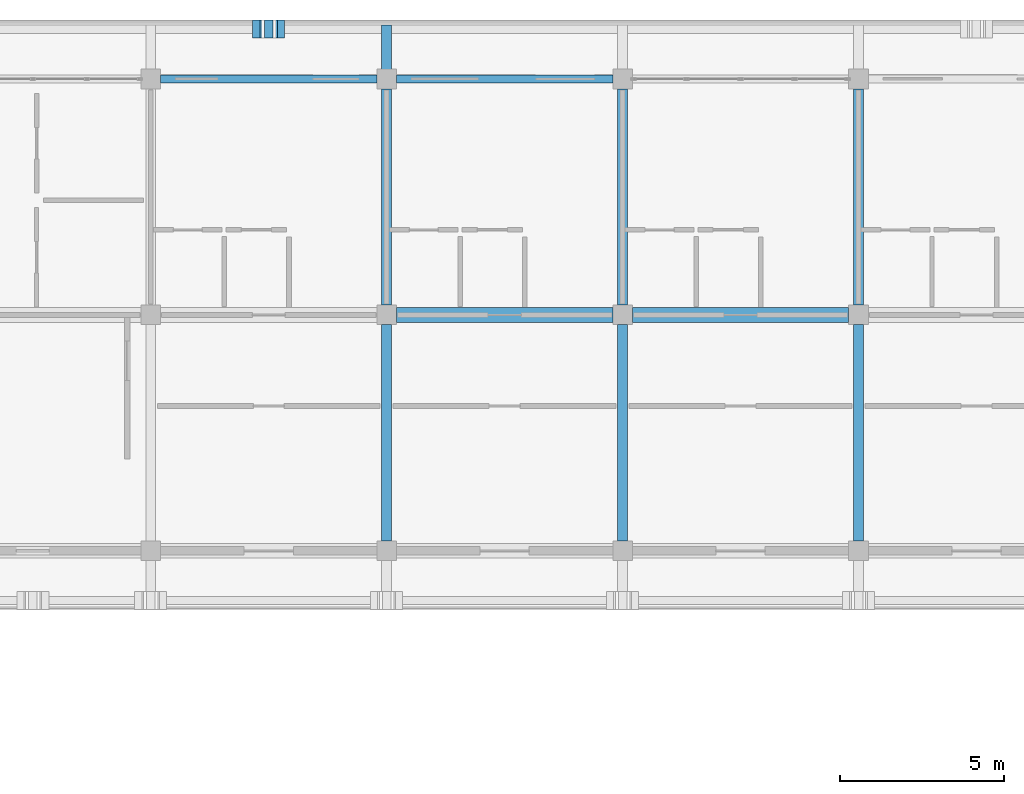
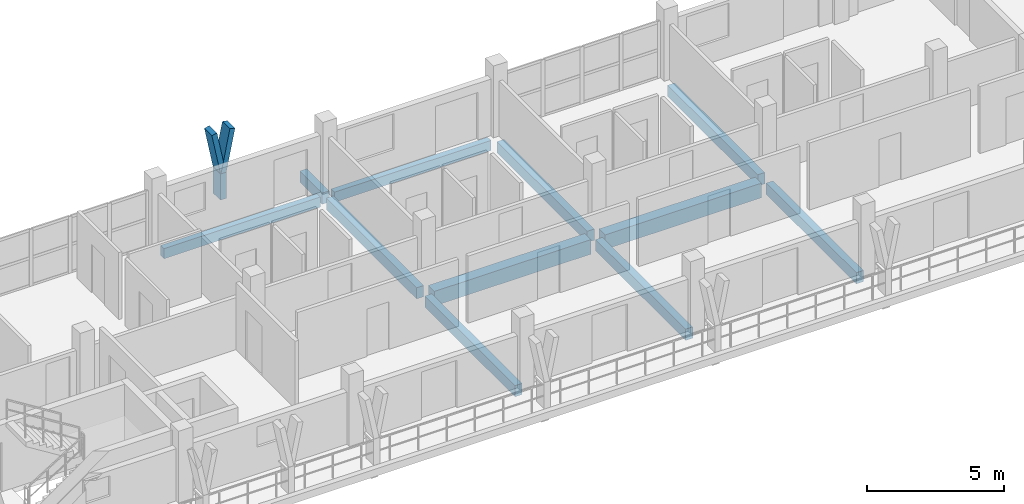
# One storey, part 16 of 67: 11 beams, 3 members.
"""IFC4 building model written with IfcOpenShell, lengths in metres."""

from ifc_helpers import new_model, si_unit, direction, frame, origin, origin_2d, place, context, subcontext, project, spatial, rectangle, extrude, material, material_profile, profile_set, type_object, element, save


model = new_model("IFC4")

# Units and contexts
model_context = context("Model", 3, precision=1e-05, world=origin(), true_north=direction((0.0, 1.0)))
body_context = subcontext(model_context, "Body", "Model", "MODEL_VIEW")
ifc_project = project(units=[si_unit("LENGTHUNIT", "METRE"), si_unit("AREAUNIT", "SQUARE_METRE"), si_unit("VOLUMEUNIT", "CUBIC_METRE"), si_unit("PLANEANGLEUNIT", "RADIAN"), si_unit("MASSUNIT", "GRAM", prefix="KILO")], contexts=[model_context])

# Site, building, storey
site_placement = place(None, origin())
site = spatial("IfcSite", under=ifc_project, at=site_placement, CompositionType="ELEMENT")
building_placement = place(site_placement, origin())
building = spatial("IfcBuilding", under=site, at=building_placement, Name="Suanplinth Sawtooth Commons", CompositionType="ELEMENT")
storey_placement = place(building_placement, frame((0.0, 0.0, 25.10009765625)))
storey = spatial("IfcBuildingStorey", under=building, at=storey_placement, Name="L07", CompositionType="ELEMENT", Elevation=25.10009765625)

# Beams
ifc_material_1 = material(Name="Precast concrete C40/50", Category="concrete")
ifc_material_profile_1 = material_profile(ifc_material_1, rectangle(XDim=0.449951171875, YDim=0.64990234375, at=origin_2d()), Name="PC-GDR 450x650")
ifc_profile_set_1 = profile_set([ifc_material_profile_1], Name="Precast concrete C40/50")
beam_type_1 = type_object("IfcBeamType", Name="B-04", PredefinedType="USERDEFINED", material=ifc_profile_set_1)
for number, where, z_axis, x_axis, name in (
    (1, (79.5, 115.199951171875, -0.545166015625), (1.0, 0.0, 0.0), (0.0, 1.0, 0.0), "BMX-L07-A-11-16"),
    (2, (86.699951171875, 115.199951171875, -0.545166015625), (1.0, 0.0, 0.0), (0.0, 1.0, 0.0), "BMX-L07-A-12-16"),
):
    element("IfcBeam", number, at=place(storey_placement, frame(where, z_axis=z_axis, x_axis=x_axis)), inside=storey, type_object=beam_type_1, Name=name, ObjectType="GIRDER", PredefinedType="USERDEFINED", context=body_context, shape_type="SweptSolid", body=[
        extrude(rectangle(XDim=0.449951171875, YDim=0.64990234375, at=origin_2d()), origin(), (0.0, 0.0, 1.0), 6.60009765625),
    ])
ifc_material_profile_2 = material_profile(ifc_material_1, rectangle(XDim=0.300048828125, YDim=0.5, at=origin_2d()), Name="PC-BM 300x500")
ifc_profile_set_2 = profile_set([ifc_material_profile_2], Name="Precast concrete C40/50")
beam_type_2 = type_object("IfcBeamType", Name="B-07", PredefinedType="BEAM", material=ifc_profile_set_2)
beam_1_placement = place(storey_placement, frame((79.199951171875, 108.300048828125, -0.47021484375), z_axis=(0.0, 1.0, 0.0), x_axis=(-1.0, 0.0, 0.0)))
element("IfcBeam", 3, at=beam_1_placement, inside=storey, type_object=beam_type_2, Name="BMY-L07-A-11-15", PredefinedType="BEAM", context=body_context, shape_type="SweptSolid", body=[
    extrude(rectangle(XDim=0.300048828125, YDim=0.5, at=origin_2d()), origin(), (0.0, 0.0, 1.0), 6.599853515625),
])
beam_2_placement = place(storey_placement, frame((79.199951171875, 115.5, -0.47021484375), z_axis=(0.0, 1.0, 0.0), x_axis=(-1.0, 0.0, 0.0)))
element("IfcBeam", 4, at=beam_2_placement, inside=storey, type_object=beam_type_2, Name="BMY-L07-A-11-16", PredefinedType="BEAM", context=body_context, shape_type="SweptSolid", body=[
    extrude(rectangle(XDim=0.300048828125, YDim=0.5, at=origin_2d()), origin(), (0.0, 0.0, 1.0), 6.60009765625),
])
beam_3_placement = place(storey_placement, frame((86.39990234375, 108.300048828125, -0.47021484375), z_axis=(0.0, 1.0, 0.0), x_axis=(-1.0, 0.0, 0.0)))
element("IfcBeam", 5, at=beam_3_placement, inside=storey, type_object=beam_type_2, Name="BMY-L07-A-12-15", PredefinedType="BEAM", context=body_context, shape_type="SweptSolid", body=[
    extrude(rectangle(XDim=0.300048828125, YDim=0.5, at=origin_2d()), origin(), (0.0, 0.0, 1.0), 6.599853515625),
])
beam_4_placement = place(storey_placement, frame((86.39990234375, 115.5, -0.47021484375), z_axis=(0.0, 1.0, 0.0), x_axis=(-1.0, 0.0, 0.0)))
element("IfcBeam", 6, at=beam_4_placement, inside=storey, type_object=beam_type_2, Name="BMY-L07-A-12-16", PredefinedType="BEAM", context=body_context, shape_type="SweptSolid", body=[
    extrude(rectangle(XDim=0.300048828125, YDim=0.5, at=origin_2d()), origin(), (0.0, 0.0, 1.0), 6.60009765625),
])
beam_5_placement = place(storey_placement, frame((93.60009765625, 108.300048828125, -0.47021484375), z_axis=(0.0, 1.0, 0.0), x_axis=(-1.0, 0.0, 0.0)))
element("IfcBeam", 7, at=beam_5_placement, inside=storey, type_object=beam_type_2, Name="BMY-L07-A-13-15", PredefinedType="BEAM", context=body_context, shape_type="SweptSolid", body=[
    extrude(rectangle(XDim=0.300048828125, YDim=0.5, at=origin_2d()), origin(), (0.0, 0.0, 1.0), 6.599853515625),
])
beam_6_placement = place(storey_placement, frame((93.60009765625, 115.5, -0.47021484375), z_axis=(0.0, 1.0, 0.0), x_axis=(-1.0, 0.0, 0.0)))
element("IfcBeam", 8, at=beam_6_placement, inside=storey, type_object=beam_type_2, Name="BMY-L07-A-13-16", PredefinedType="BEAM", context=body_context, shape_type="SweptSolid", body=[
    extrude(rectangle(XDim=0.300048828125, YDim=0.5, at=origin_2d()), origin(), (0.0, 0.0, 1.0), 6.60009765625),
])
beam_7_placement = place(storey_placement, frame((79.199951171875, 122.39990234375, -0.43017578125), z_axis=(0.0, 1.0, 0.0), x_axis=(-1.0, 0.0, 0.0)))
element("IfcBeam", 9, at=beam_7_placement, inside=storey, type_object=beam_type_2, Name="Balcony Outrigger L07-A-N-11", PredefinedType="BEAM", context=body_context, shape_type="SweptSolid", body=[
    extrude(rectangle(XDim=0.300048828125, YDim=0.5, at=origin_2d()), origin(), (0.0, 0.0, 1.0), 1.64013671875),
])
ifc_material_profile_3 = material_profile(ifc_material_1, rectangle(XDim=0.25, YDim=0.449951171875, at=origin_2d()), Name="PC-SP 250x450")
ifc_profile_set_3 = profile_set([ifc_material_profile_3], Name="Precast concrete C40/50")
beam_type_3 = type_object("IfcBeamType", Name="B-09", PredefinedType="SPANDREL", material=ifc_profile_set_3)
beam_8_placement = place(storey_placement, frame((72.300048828125, 122.39990234375, -0.445068359375), z_axis=(1.0, 0.0, 0.0), x_axis=(0.0, 1.0, 0.0)))
element("IfcBeam", 10, at=beam_8_placement, inside=storey, type_object=beam_type_3, Name="BMX-L07-A-10-17", PredefinedType="SPANDREL", context=body_context, shape_type="SweptSolid", body=[
    extrude(rectangle(XDim=0.25, YDim=0.449951171875, at=origin_2d()), origin(), (0.0, 0.0, 1.0), 6.599853515625),
])
beam_9_placement = place(storey_placement, frame((79.5, 122.39990234375, -0.445068359375), z_axis=(1.0, 0.0, 0.0), x_axis=(0.0, 1.0, 0.0)))
element("IfcBeam", 11, at=beam_9_placement, inside=storey, type_object=beam_type_3, Name="BMX-L07-A-11-17", PredefinedType="SPANDREL", context=body_context, shape_type="SweptSolid", body=[
    extrude(rectangle(XDim=0.25, YDim=0.449951171875, at=origin_2d()), origin(), (0.0, 0.0, 1.0), 6.60009765625),
])

# Members
ifc_material_2 = material(Name="Pigmented precast concrete C40/50", Category="concrete")
ifc_material_profile_4 = material_profile(ifc_material_2, rectangle(XDim=0.260009765625, YDim=0.550048828125, at=origin_2d()), Name="PC-FIN 260x550")
ifc_profile_set_4 = profile_set([ifc_material_profile_4], Name="Pigmented precast concrete C40/50")
member_type_1 = type_object("IfcMemberType", Name="M-09", PredefinedType="USERDEFINED", material=ifc_profile_set_4)
member_1_placement = place(storey_placement, frame((75.60009765625, 123.919921875, 0.0), z_axis=(0.0, 0.0, 1.0), x_axis=(1.0, 0.0, 0.0)))
element("IfcMember", 12, at=member_1_placement, inside=storey, type_object=member_type_1, Name="Y-Blade Stem L07-A-N-03", ObjectType="SHADING FIN", PredefinedType="USERDEFINED", context=body_context, shape_type="SweptSolid", body=[
    extrude(rectangle(XDim=0.260009765625, YDim=0.550048828125, at=origin_2d()), origin(), (0.0, 0.0, 1.0), 1.169921875),
])
ifc_material_profile_5 = material_profile(ifc_material_2, rectangle(XDim=0.219970703125, YDim=0.550048828125, at=origin_2d()), Name="PC-FIN 220x550")
ifc_profile_set_5 = profile_set([ifc_material_profile_5], Name="Pigmented precast concrete C40/50")
member_type_2 = type_object("IfcMemberType", Name="M-10", PredefinedType="USERDEFINED", material=ifc_profile_set_5)
member_2_placement = place(storey_placement, frame((75.60009765625, 123.919921875, 1.1298828125), z_axis=(-0.196431120402, 0.0, 0.980517626021), x_axis=(0.980517626021, 0.0, 0.196431120402)))
element("IfcMember", 13, at=member_2_placement, inside=storey, type_object=member_type_2, Name="Y-Blade Arm L L07-A-N-03", ObjectType="SHADING FIN", PredefinedType="USERDEFINED", context=body_context, shape_type="SweptSolid", body=[
    extrude(rectangle(XDim=0.219970703125, YDim=0.550048828125, at=origin_2d()), origin(), (0.0, 0.0, 1.0), 1.937744140625),
])
member_3_placement = place(storey_placement, frame((75.60009765625, 123.919921875, 1.1298828125), z_axis=(0.196309979414, 0.0, 0.980541886909), x_axis=(-0.980541886909, 0.0, 0.196309979414)))
element("IfcMember", 14, at=member_3_placement, inside=storey, type_object=member_type_2, Name="Y-Blade Arm R L07-A-N-03", ObjectType="SHADING FIN", PredefinedType="USERDEFINED", context=body_context, shape_type="SweptSolid", body=[
    extrude(rectangle(XDim=0.219970703125, YDim=0.550048828125, at=origin_2d()), origin(), (0.0, 0.0, 1.0), 1.9375),
])

save(model, "model.ifc")
